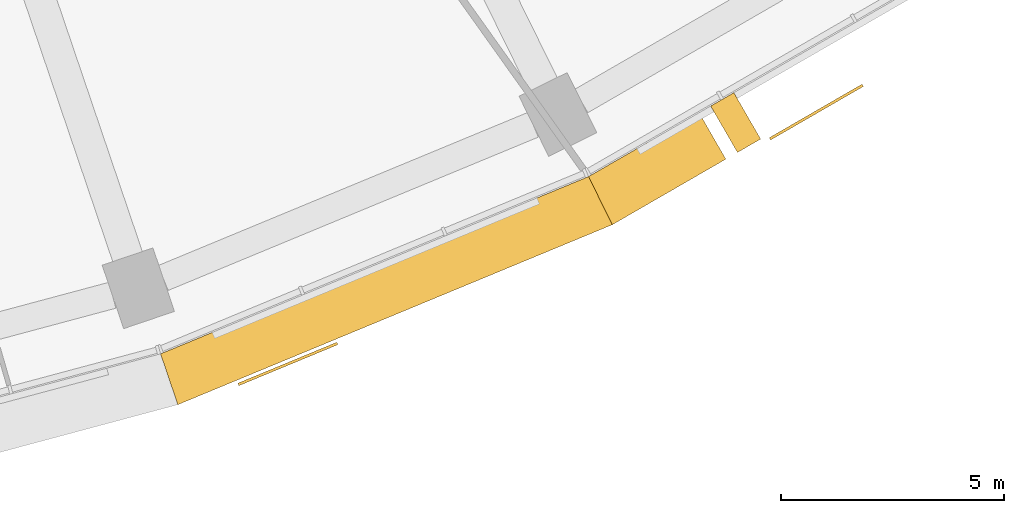
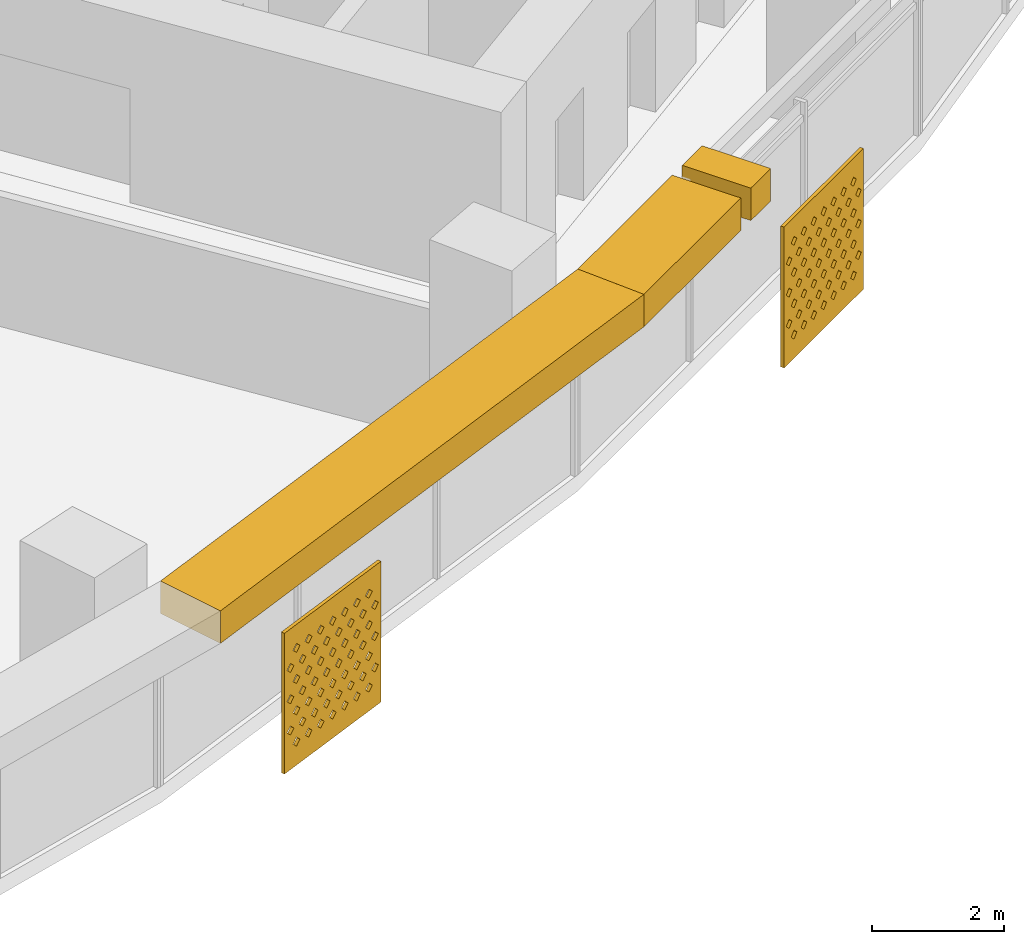
# One storey, part 27 of 29: 5 shading devices.
"""IFC4 building model written with IfcOpenShell, lengths in metres."""

from ifc_helpers import new_model, si_unit, direction, frame, origin, place, context, subcontext, project, spatial, polyline, outline, extrude, material, material_profile, profile_set, type_object, element, save


model = new_model("IFC4")

# Units and contexts
model_context = context("Model", 3, precision=1e-05, world=origin(), true_north=direction((0.0, 1.0)))
body_context = subcontext(model_context, "Body", "Model", "MODEL_VIEW")
ifc_project = project(units=[si_unit("LENGTHUNIT", "METRE"), si_unit("AREAUNIT", "SQUARE_METRE"), si_unit("VOLUMEUNIT", "CUBIC_METRE"), si_unit("PLANEANGLEUNIT", "RADIAN"), si_unit("MASSUNIT", "GRAM", prefix="KILO")], contexts=[model_context])

# Site, building, storey
site_placement = place(None, origin())
site = spatial("IfcSite", under=ifc_project, at=site_placement, CompositionType="ELEMENT")
building_placement = place(site_placement, origin())
building = spatial("IfcBuilding", under=site, at=building_placement, Name="Qamariyya Broadcast Tower", CompositionType="ELEMENT")
storey_placement = place(building_placement, frame((0.0, 0.0, 121.5)))
storey = spatial("IfcBuildingStorey", under=building, at=storey_placement, Name="L27", CompositionType="ELEMENT", Elevation=121.5)

# Shading devices
ifc_material_1 = material(Name="Steel S355 powder coated deep red", Category="steel")
shading_device_type_1 = type_object("IfcShadingDeviceType", Name="Deep red frame, powder coated steel box section", PredefinedType="USERDEFINED", material=ifc_material_1)
shading_device_1_placement = place(storey_placement, frame((0.0, 0.0, 3.199951171875)))
element("IfcShadingDevice", 1, at=shading_device_1_placement, inside=storey, type_object=shading_device_type_1, Name="e-frm-B2-F2-postb-L27", ObjectType="FRAME", PredefinedType="USERDEFINED", context=body_context, shape_type="SweptSolid", body=[
    extrude(outline(polyline([(37.80810546875, -69.543212890625), (38.408203125, -70.58251953125), (38.927734375, -70.282470703125), (38.32763671875, -69.2431640625), (37.80810546875, -69.543212890625)])), origin(), (0.0, 0.0, 1.0), 0.60009765625),
])
shading_device_2_placement = place(storey_placement, frame((0.0, 0.0, 3.199951171875)))
element("IfcShadingDevice", 2, at=shading_device_2_placement, inside=storey, type_object=shading_device_type_1, Name="e-frm-B2-F2-bot1", ObjectType="FRAME", PredefinedType="USERDEFINED", context=body_context, shape_type="SweptSolid", body=[
    extrude(outline(polyline([(25.490234375, -75.091552734375), (25.876708984375, -76.230224609375), (35.60546875, -72.20068359375), (35.073486328125, -71.1220703125), (25.490234375, -75.091552734375)])), origin(), (0.0, 0.0, 1.0), 0.60009765625),
])
shading_device_3_placement = place(storey_placement, frame((0.0, 0.0, 3.199951171875)))
element("IfcShadingDevice", 3, at=shading_device_3_placement, inside=storey, type_object=shading_device_type_1, Name="e-frm-B2-F2-bot2", ObjectType="FRAME", PredefinedType="USERDEFINED", context=body_context, shape_type="SweptSolid", body=[
    extrude(outline(polyline([(35.073486328125, -71.1220703125), (35.60546875, -72.20068359375), (38.148193359375, -70.732421875), (37.54833984375, -69.693115234375), (35.073486328125, -71.1220703125)])), origin(), (0.0, 0.0, 1.0), 0.60009765625),
])
ifc_material_2 = material(Name="Perforated glazed terracotta", Category="masonry")
ifc_material_profile = material_profile(ifc_material_2, outline(polyline([(-1.199951171875, -1.300048828125), (1.199951171875, -1.300048828125), (1.199951171875, 1.300048828125), (-1.199951171875, 1.300048828125), (-1.199951171875, -1.300048828125)]), holes=[polyline([(-0.81494140625, -0.86669921875), (-0.89990234375, -0.78173828125), (-0.985107421875, -0.86669921875), (-0.89990234375, -0.95166015625), (-0.81494140625, -0.86669921875)]), polyline([(-0.514892578125, -0.86669921875), (-0.60009765625, -0.78173828125), (-0.68505859375, -0.86669921875), (-0.60009765625, -0.95166015625), (-0.514892578125, -0.86669921875)]), polyline([(-0.215087890625, -0.86669921875), (-0.300048828125, -0.78173828125), (-0.385009765625, -0.86669921875), (-0.300048828125, -0.95166015625), (-0.215087890625, -0.86669921875)]), polyline([(0.0849609375, -0.86669921875), (0.0, -0.78173828125), (-0.0849609375, -0.86669921875), (0.0, -0.95166015625), (0.0849609375, -0.86669921875)]), polyline([(0.385009765625, -0.86669921875), (0.300048828125, -0.78173828125), (0.215087890625, -0.86669921875), (0.300048828125, -0.95166015625), (0.385009765625, -0.86669921875)]), polyline([(0.68505859375, -0.86669921875), (0.60009765625, -0.78173828125), (0.514892578125, -0.86669921875), (0.60009765625, -0.95166015625), (0.68505859375, -0.86669921875)]), polyline([(0.985107421875, -0.86669921875), (0.89990234375, -0.78173828125), (0.81494140625, -0.86669921875), (0.89990234375, -0.95166015625), (0.985107421875, -0.86669921875)]), polyline([(-0.965087890625, -0.577880859375), (-1.050048828125, -0.49267578125), (-1.135009765625, -0.577880859375), (-1.050048828125, -0.662841796875), (-0.965087890625, -0.577880859375)]), polyline([(-0.6650390625, -0.577880859375), (-0.75, -0.49267578125), (-0.8349609375, -0.577880859375), (-0.75, -0.662841796875), (-0.6650390625, -0.577880859375)]), polyline([(-0.364990234375, -0.577880859375), (-0.449951171875, -0.49267578125), (-0.534912109375, -0.577880859375), (-0.449951171875, -0.662841796875), (-0.364990234375, -0.577880859375)]), polyline([(-0.06494140625, -0.577880859375), (-0.14990234375, -0.49267578125), (-0.235107421875, -0.577880859375), (-0.14990234375, -0.662841796875), (-0.06494140625, -0.577880859375)]), polyline([(0.235107421875, -0.577880859375), (0.14990234375, -0.49267578125), (0.06494140625, -0.577880859375), (0.14990234375, -0.662841796875), (0.235107421875, -0.577880859375)]), polyline([(0.534912109375, -0.577880859375), (0.449951171875, -0.49267578125), (0.364990234375, -0.577880859375), (0.449951171875, -0.662841796875), (0.534912109375, -0.577880859375)]), polyline([(0.8349609375, -0.577880859375), (0.75, -0.49267578125), (0.6650390625, -0.577880859375), (0.75, -0.662841796875), (0.8349609375, -0.577880859375)]), polyline([(1.135009765625, -0.577880859375), (1.050048828125, -0.49267578125), (0.965087890625, -0.577880859375), (1.050048828125, -0.662841796875), (1.135009765625, -0.577880859375)]), polyline([(-0.81494140625, -0.288818359375), (-0.89990234375, -0.203857421875), (-0.985107421875, -0.288818359375), (-0.89990234375, -0.373779296875), (-0.81494140625, -0.288818359375)]), polyline([(-0.514892578125, -0.288818359375), (-0.60009765625, -0.203857421875), (-0.68505859375, -0.288818359375), (-0.60009765625, -0.373779296875), (-0.514892578125, -0.288818359375)]), polyline([(-0.215087890625, -0.288818359375), (-0.300048828125, -0.203857421875), (-0.385009765625, -0.288818359375), (-0.300048828125, -0.373779296875), (-0.215087890625, -0.288818359375)]), polyline([(0.0849609375, -0.288818359375), (0.0, -0.203857421875), (-0.0849609375, -0.288818359375), (0.0, -0.373779296875), (0.0849609375, -0.288818359375)]), polyline([(0.385009765625, -0.288818359375), (0.300048828125, -0.203857421875), (0.215087890625, -0.288818359375), (0.300048828125, -0.373779296875), (0.385009765625, -0.288818359375)]), polyline([(0.68505859375, -0.288818359375), (0.60009765625, -0.203857421875), (0.514892578125, -0.288818359375), (0.60009765625, -0.373779296875), (0.68505859375, -0.288818359375)]), polyline([(0.985107421875, -0.288818359375), (0.89990234375, -0.203857421875), (0.81494140625, -0.288818359375), (0.89990234375, -0.373779296875), (0.985107421875, -0.288818359375)]), polyline([(-0.965087890625, 0.0), (-1.050048828125, 0.0849609375), (-1.135009765625, 0.0), (-1.050048828125, -0.0849609375), (-0.965087890625, 0.0)]), polyline([(-0.6650390625, 0.0), (-0.75, 0.0849609375), (-0.8349609375, 0.0), (-0.75, -0.0849609375), (-0.6650390625, 0.0)]), polyline([(-0.364990234375, 0.0), (-0.449951171875, 0.0849609375), (-0.534912109375, 0.0), (-0.449951171875, -0.0849609375), (-0.364990234375, 0.0)]), polyline([(-0.06494140625, 0.0), (-0.14990234375, 0.0849609375), (-0.235107421875, 0.0), (-0.14990234375, -0.0849609375), (-0.06494140625, 0.0)]), polyline([(0.235107421875, 0.0), (0.14990234375, 0.0849609375), (0.06494140625, 0.0), (0.14990234375, -0.0849609375), (0.235107421875, 0.0)]), polyline([(0.534912109375, 0.0), (0.449951171875, 0.0849609375), (0.364990234375, 0.0), (0.449951171875, -0.0849609375), (0.534912109375, 0.0)]), polyline([(0.8349609375, 0.0), (0.75, 0.0849609375), (0.6650390625, 0.0), (0.75, -0.0849609375), (0.8349609375, 0.0)]), polyline([(1.135009765625, 0.0), (1.050048828125, 0.0849609375), (0.965087890625, 0.0), (1.050048828125, -0.0849609375), (1.135009765625, 0.0)]), polyline([(-0.81494140625, 0.288818359375), (-0.89990234375, 0.373779296875), (-0.985107421875, 0.288818359375), (-0.89990234375, 0.203857421875), (-0.81494140625, 0.288818359375)]), polyline([(-0.514892578125, 0.288818359375), (-0.60009765625, 0.373779296875), (-0.68505859375, 0.288818359375), (-0.60009765625, 0.203857421875), (-0.514892578125, 0.288818359375)]), polyline([(-0.215087890625, 0.288818359375), (-0.300048828125, 0.373779296875), (-0.385009765625, 0.288818359375), (-0.300048828125, 0.203857421875), (-0.215087890625, 0.288818359375)]), polyline([(0.0849609375, 0.288818359375), (0.0, 0.373779296875), (-0.0849609375, 0.288818359375), (0.0, 0.203857421875), (0.0849609375, 0.288818359375)]), polyline([(0.385009765625, 0.288818359375), (0.300048828125, 0.373779296875), (0.215087890625, 0.288818359375), (0.300048828125, 0.203857421875), (0.385009765625, 0.288818359375)]), polyline([(0.68505859375, 0.288818359375), (0.60009765625, 0.373779296875), (0.514892578125, 0.288818359375), (0.60009765625, 0.203857421875), (0.68505859375, 0.288818359375)]), polyline([(0.985107421875, 0.288818359375), (0.89990234375, 0.373779296875), (0.81494140625, 0.288818359375), (0.89990234375, 0.203857421875), (0.985107421875, 0.288818359375)]), polyline([(-0.965087890625, 0.577880859375), (-1.050048828125, 0.662841796875), (-1.135009765625, 0.577880859375), (-1.050048828125, 0.49267578125), (-0.965087890625, 0.577880859375)]), polyline([(-0.6650390625, 0.577880859375), (-0.75, 0.662841796875), (-0.8349609375, 0.577880859375), (-0.75, 0.49267578125), (-0.6650390625, 0.577880859375)]), polyline([(-0.364990234375, 0.577880859375), (-0.449951171875, 0.662841796875), (-0.534912109375, 0.577880859375), (-0.449951171875, 0.49267578125), (-0.364990234375, 0.577880859375)]), polyline([(-0.06494140625, 0.577880859375), (-0.14990234375, 0.662841796875), (-0.235107421875, 0.577880859375), (-0.14990234375, 0.49267578125), (-0.06494140625, 0.577880859375)]), polyline([(0.235107421875, 0.577880859375), (0.14990234375, 0.662841796875), (0.06494140625, 0.577880859375), (0.14990234375, 0.49267578125), (0.235107421875, 0.577880859375)]), polyline([(0.534912109375, 0.577880859375), (0.449951171875, 0.662841796875), (0.364990234375, 0.577880859375), (0.449951171875, 0.49267578125), (0.534912109375, 0.577880859375)]), polyline([(0.8349609375, 0.577880859375), (0.75, 0.662841796875), (0.6650390625, 0.577880859375), (0.75, 0.49267578125), (0.8349609375, 0.577880859375)]), polyline([(1.135009765625, 0.577880859375), (1.050048828125, 0.662841796875), (0.965087890625, 0.577880859375), (1.050048828125, 0.49267578125), (1.135009765625, 0.577880859375)]), polyline([(-0.81494140625, 0.86669921875), (-0.89990234375, 0.95166015625), (-0.985107421875, 0.86669921875), (-0.89990234375, 0.78173828125), (-0.81494140625, 0.86669921875)]), polyline([(-0.514892578125, 0.86669921875), (-0.60009765625, 0.95166015625), (-0.68505859375, 0.86669921875), (-0.60009765625, 0.78173828125), (-0.514892578125, 0.86669921875)]), polyline([(-0.215087890625, 0.86669921875), (-0.300048828125, 0.95166015625), (-0.385009765625, 0.86669921875), (-0.300048828125, 0.78173828125), (-0.215087890625, 0.86669921875)]), polyline([(0.0849609375, 0.86669921875), (0.0, 0.95166015625), (-0.0849609375, 0.86669921875), (0.0, 0.78173828125), (0.0849609375, 0.86669921875)]), polyline([(0.385009765625, 0.86669921875), (0.300048828125, 0.95166015625), (0.215087890625, 0.86669921875), (0.300048828125, 0.78173828125), (0.385009765625, 0.86669921875)]), polyline([(0.68505859375, 0.86669921875), (0.60009765625, 0.95166015625), (0.514892578125, 0.86669921875), (0.60009765625, 0.78173828125), (0.68505859375, 0.86669921875)]), polyline([(0.985107421875, 0.86669921875), (0.89990234375, 0.95166015625), (0.81494140625, 0.86669921875), (0.89990234375, 0.78173828125), (0.985107421875, 0.86669921875)])]))
ifc_profile_set = profile_set([ifc_material_profile], Name="Perforated glazed terracotta")
shading_device_type_2 = type_object("IfcShadingDeviceType", Name="Perforated terracotta screen 2400 x 2600", PredefinedType="USERDEFINED", material=ifc_profile_set)
shading_device_4_placement = place(storey_placement, frame((28.328857421875, -75.290283203125, 1.35009765625), z_axis=(0.382591441855, -0.923917630863, 0.0), x_axis=(0.923917630863, 0.382591441855, 0.0)))
element("IfcShadingDevice", 4, at=shading_device_4_placement, inside=storey, type_object=shading_device_type_2, Name="e-scr-L27-12-0", ObjectType="SCREEN", PredefinedType="USERDEFINED", context=body_context, shape_type="SweptSolid", body=[
    extrude(outline(polyline([(-1.199951171875, -1.300048828125), (1.199951171875, -1.300048828125), (1.199951171875, 1.300048828125), (-1.199951171875, 1.300048828125), (-1.199951171875, -1.300048828125)]), holes=[polyline([(-0.81494140625, -0.86669921875), (-0.89990234375, -0.78173828125), (-0.985107421875, -0.86669921875), (-0.89990234375, -0.95166015625), (-0.81494140625, -0.86669921875)]), polyline([(-0.514892578125, -0.86669921875), (-0.60009765625, -0.78173828125), (-0.68505859375, -0.86669921875), (-0.60009765625, -0.95166015625), (-0.514892578125, -0.86669921875)]), polyline([(-0.215087890625, -0.86669921875), (-0.300048828125, -0.78173828125), (-0.385009765625, -0.86669921875), (-0.300048828125, -0.95166015625), (-0.215087890625, -0.86669921875)]), polyline([(0.0849609375, -0.86669921875), (0.0, -0.78173828125), (-0.0849609375, -0.86669921875), (0.0, -0.95166015625), (0.0849609375, -0.86669921875)]), polyline([(0.385009765625, -0.86669921875), (0.300048828125, -0.78173828125), (0.215087890625, -0.86669921875), (0.300048828125, -0.95166015625), (0.385009765625, -0.86669921875)]), polyline([(0.68505859375, -0.86669921875), (0.60009765625, -0.78173828125), (0.514892578125, -0.86669921875), (0.60009765625, -0.95166015625), (0.68505859375, -0.86669921875)]), polyline([(0.985107421875, -0.86669921875), (0.89990234375, -0.78173828125), (0.81494140625, -0.86669921875), (0.89990234375, -0.95166015625), (0.985107421875, -0.86669921875)]), polyline([(-0.965087890625, -0.577880859375), (-1.050048828125, -0.49267578125), (-1.135009765625, -0.577880859375), (-1.050048828125, -0.662841796875), (-0.965087890625, -0.577880859375)]), polyline([(-0.6650390625, -0.577880859375), (-0.75, -0.49267578125), (-0.8349609375, -0.577880859375), (-0.75, -0.662841796875), (-0.6650390625, -0.577880859375)]), polyline([(-0.364990234375, -0.577880859375), (-0.449951171875, -0.49267578125), (-0.534912109375, -0.577880859375), (-0.449951171875, -0.662841796875), (-0.364990234375, -0.577880859375)]), polyline([(-0.06494140625, -0.577880859375), (-0.14990234375, -0.49267578125), (-0.235107421875, -0.577880859375), (-0.14990234375, -0.662841796875), (-0.06494140625, -0.577880859375)]), polyline([(0.235107421875, -0.577880859375), (0.14990234375, -0.49267578125), (0.06494140625, -0.577880859375), (0.14990234375, -0.662841796875), (0.235107421875, -0.577880859375)]), polyline([(0.534912109375, -0.577880859375), (0.449951171875, -0.49267578125), (0.364990234375, -0.577880859375), (0.449951171875, -0.662841796875), (0.534912109375, -0.577880859375)]), polyline([(0.8349609375, -0.577880859375), (0.75, -0.49267578125), (0.6650390625, -0.577880859375), (0.75, -0.662841796875), (0.8349609375, -0.577880859375)]), polyline([(1.135009765625, -0.577880859375), (1.050048828125, -0.49267578125), (0.965087890625, -0.577880859375), (1.050048828125, -0.662841796875), (1.135009765625, -0.577880859375)]), polyline([(-0.81494140625, -0.288818359375), (-0.89990234375, -0.203857421875), (-0.985107421875, -0.288818359375), (-0.89990234375, -0.373779296875), (-0.81494140625, -0.288818359375)]), polyline([(-0.514892578125, -0.288818359375), (-0.60009765625, -0.203857421875), (-0.68505859375, -0.288818359375), (-0.60009765625, -0.373779296875), (-0.514892578125, -0.288818359375)]), polyline([(-0.215087890625, -0.288818359375), (-0.300048828125, -0.203857421875), (-0.385009765625, -0.288818359375), (-0.300048828125, -0.373779296875), (-0.215087890625, -0.288818359375)]), polyline([(0.0849609375, -0.288818359375), (0.0, -0.203857421875), (-0.0849609375, -0.288818359375), (0.0, -0.373779296875), (0.0849609375, -0.288818359375)]), polyline([(0.385009765625, -0.288818359375), (0.300048828125, -0.203857421875), (0.215087890625, -0.288818359375), (0.300048828125, -0.373779296875), (0.385009765625, -0.288818359375)]), polyline([(0.68505859375, -0.288818359375), (0.60009765625, -0.203857421875), (0.514892578125, -0.288818359375), (0.60009765625, -0.373779296875), (0.68505859375, -0.288818359375)]), polyline([(0.985107421875, -0.288818359375), (0.89990234375, -0.203857421875), (0.81494140625, -0.288818359375), (0.89990234375, -0.373779296875), (0.985107421875, -0.288818359375)]), polyline([(-0.965087890625, 0.0), (-1.050048828125, 0.0849609375), (-1.135009765625, 0.0), (-1.050048828125, -0.0849609375), (-0.965087890625, 0.0)]), polyline([(-0.6650390625, 0.0), (-0.75, 0.0849609375), (-0.8349609375, 0.0), (-0.75, -0.0849609375), (-0.6650390625, 0.0)]), polyline([(-0.364990234375, 0.0), (-0.449951171875, 0.0849609375), (-0.534912109375, 0.0), (-0.449951171875, -0.0849609375), (-0.364990234375, 0.0)]), polyline([(-0.06494140625, 0.0), (-0.14990234375, 0.0849609375), (-0.235107421875, 0.0), (-0.14990234375, -0.0849609375), (-0.06494140625, 0.0)]), polyline([(0.235107421875, 0.0), (0.14990234375, 0.0849609375), (0.06494140625, 0.0), (0.14990234375, -0.0849609375), (0.235107421875, 0.0)]), polyline([(0.534912109375, 0.0), (0.449951171875, 0.0849609375), (0.364990234375, 0.0), (0.449951171875, -0.0849609375), (0.534912109375, 0.0)]), polyline([(0.8349609375, 0.0), (0.75, 0.0849609375), (0.6650390625, 0.0), (0.75, -0.0849609375), (0.8349609375, 0.0)]), polyline([(1.135009765625, 0.0), (1.050048828125, 0.0849609375), (0.965087890625, 0.0), (1.050048828125, -0.0849609375), (1.135009765625, 0.0)]), polyline([(-0.81494140625, 0.288818359375), (-0.89990234375, 0.373779296875), (-0.985107421875, 0.288818359375), (-0.89990234375, 0.203857421875), (-0.81494140625, 0.288818359375)]), polyline([(-0.514892578125, 0.288818359375), (-0.60009765625, 0.373779296875), (-0.68505859375, 0.288818359375), (-0.60009765625, 0.203857421875), (-0.514892578125, 0.288818359375)]), polyline([(-0.215087890625, 0.288818359375), (-0.300048828125, 0.373779296875), (-0.385009765625, 0.288818359375), (-0.300048828125, 0.203857421875), (-0.215087890625, 0.288818359375)]), polyline([(0.0849609375, 0.288818359375), (0.0, 0.373779296875), (-0.0849609375, 0.288818359375), (0.0, 0.203857421875), (0.0849609375, 0.288818359375)]), polyline([(0.385009765625, 0.288818359375), (0.300048828125, 0.373779296875), (0.215087890625, 0.288818359375), (0.300048828125, 0.203857421875), (0.385009765625, 0.288818359375)]), polyline([(0.68505859375, 0.288818359375), (0.60009765625, 0.373779296875), (0.514892578125, 0.288818359375), (0.60009765625, 0.203857421875), (0.68505859375, 0.288818359375)]), polyline([(0.985107421875, 0.288818359375), (0.89990234375, 0.373779296875), (0.81494140625, 0.288818359375), (0.89990234375, 0.203857421875), (0.985107421875, 0.288818359375)]), polyline([(-0.965087890625, 0.577880859375), (-1.050048828125, 0.662841796875), (-1.135009765625, 0.577880859375), (-1.050048828125, 0.49267578125), (-0.965087890625, 0.577880859375)]), polyline([(-0.6650390625, 0.577880859375), (-0.75, 0.662841796875), (-0.8349609375, 0.577880859375), (-0.75, 0.49267578125), (-0.6650390625, 0.577880859375)]), polyline([(-0.364990234375, 0.577880859375), (-0.449951171875, 0.662841796875), (-0.534912109375, 0.577880859375), (-0.449951171875, 0.49267578125), (-0.364990234375, 0.577880859375)]), polyline([(-0.06494140625, 0.577880859375), (-0.14990234375, 0.662841796875), (-0.235107421875, 0.577880859375), (-0.14990234375, 0.49267578125), (-0.06494140625, 0.577880859375)]), polyline([(0.235107421875, 0.577880859375), (0.14990234375, 0.662841796875), (0.06494140625, 0.577880859375), (0.14990234375, 0.49267578125), (0.235107421875, 0.577880859375)]), polyline([(0.534912109375, 0.577880859375), (0.449951171875, 0.662841796875), (0.364990234375, 0.577880859375), (0.449951171875, 0.49267578125), (0.534912109375, 0.577880859375)]), polyline([(0.8349609375, 0.577880859375), (0.75, 0.662841796875), (0.6650390625, 0.577880859375), (0.75, 0.49267578125), (0.8349609375, 0.577880859375)]), polyline([(1.135009765625, 0.577880859375), (1.050048828125, 0.662841796875), (0.965087890625, 0.577880859375), (1.050048828125, 0.49267578125), (1.135009765625, 0.577880859375)]), polyline([(-0.81494140625, 0.86669921875), (-0.89990234375, 0.95166015625), (-0.985107421875, 0.86669921875), (-0.89990234375, 0.78173828125), (-0.81494140625, 0.86669921875)]), polyline([(-0.514892578125, 0.86669921875), (-0.60009765625, 0.95166015625), (-0.68505859375, 0.86669921875), (-0.60009765625, 0.78173828125), (-0.514892578125, 0.86669921875)]), polyline([(-0.215087890625, 0.86669921875), (-0.300048828125, 0.95166015625), (-0.385009765625, 0.86669921875), (-0.300048828125, 0.78173828125), (-0.215087890625, 0.86669921875)]), polyline([(0.0849609375, 0.86669921875), (0.0, 0.95166015625), (-0.0849609375, 0.86669921875), (0.0, 0.78173828125), (0.0849609375, 0.86669921875)]), polyline([(0.385009765625, 0.86669921875), (0.300048828125, 0.95166015625), (0.215087890625, 0.86669921875), (0.300048828125, 0.78173828125), (0.385009765625, 0.86669921875)]), polyline([(0.68505859375, 0.86669921875), (0.60009765625, 0.95166015625), (0.514892578125, 0.86669921875), (0.60009765625, 0.78173828125), (0.68505859375, 0.86669921875)]), polyline([(0.985107421875, 0.86669921875), (0.89990234375, 0.95166015625), (0.81494140625, 0.86669921875), (0.89990234375, 0.78173828125), (0.985107421875, 0.86669921875)])]), origin(), (0.0, 0.0, 1.0), 0.06005859375),
])
shading_device_5_placement = place(storey_placement, frame((40.15966796875, -69.65185546875, 1.35009765625), z_axis=(0.500074377092, -0.865982457891, 0.0), x_axis=(0.865982457891, 0.500074377092, 0.0)))
element("IfcShadingDevice", 5, at=shading_device_5_placement, inside=storey, type_object=shading_device_type_2, Name="e-scr-L27-13-1", ObjectType="SCREEN", PredefinedType="USERDEFINED", context=body_context, shape_type="SweptSolid", body=[
    extrude(outline(polyline([(-1.199951171875, -1.300048828125), (1.199951171875, -1.300048828125), (1.199951171875, 1.300048828125), (-1.199951171875, 1.300048828125), (-1.199951171875, -1.300048828125)]), holes=[polyline([(-0.81494140625, -0.86669921875), (-0.89990234375, -0.78173828125), (-0.985107421875, -0.86669921875), (-0.89990234375, -0.95166015625), (-0.81494140625, -0.86669921875)]), polyline([(-0.514892578125, -0.86669921875), (-0.60009765625, -0.78173828125), (-0.68505859375, -0.86669921875), (-0.60009765625, -0.95166015625), (-0.514892578125, -0.86669921875)]), polyline([(-0.215087890625, -0.86669921875), (-0.300048828125, -0.78173828125), (-0.385009765625, -0.86669921875), (-0.300048828125, -0.95166015625), (-0.215087890625, -0.86669921875)]), polyline([(0.0849609375, -0.86669921875), (0.0, -0.78173828125), (-0.0849609375, -0.86669921875), (0.0, -0.95166015625), (0.0849609375, -0.86669921875)]), polyline([(0.385009765625, -0.86669921875), (0.300048828125, -0.78173828125), (0.215087890625, -0.86669921875), (0.300048828125, -0.95166015625), (0.385009765625, -0.86669921875)]), polyline([(0.68505859375, -0.86669921875), (0.60009765625, -0.78173828125), (0.514892578125, -0.86669921875), (0.60009765625, -0.95166015625), (0.68505859375, -0.86669921875)]), polyline([(0.985107421875, -0.86669921875), (0.89990234375, -0.78173828125), (0.81494140625, -0.86669921875), (0.89990234375, -0.95166015625), (0.985107421875, -0.86669921875)]), polyline([(-0.965087890625, -0.577880859375), (-1.050048828125, -0.49267578125), (-1.135009765625, -0.577880859375), (-1.050048828125, -0.662841796875), (-0.965087890625, -0.577880859375)]), polyline([(-0.6650390625, -0.577880859375), (-0.75, -0.49267578125), (-0.8349609375, -0.577880859375), (-0.75, -0.662841796875), (-0.6650390625, -0.577880859375)]), polyline([(-0.364990234375, -0.577880859375), (-0.449951171875, -0.49267578125), (-0.534912109375, -0.577880859375), (-0.449951171875, -0.662841796875), (-0.364990234375, -0.577880859375)]), polyline([(-0.06494140625, -0.577880859375), (-0.14990234375, -0.49267578125), (-0.235107421875, -0.577880859375), (-0.14990234375, -0.662841796875), (-0.06494140625, -0.577880859375)]), polyline([(0.235107421875, -0.577880859375), (0.14990234375, -0.49267578125), (0.06494140625, -0.577880859375), (0.14990234375, -0.662841796875), (0.235107421875, -0.577880859375)]), polyline([(0.534912109375, -0.577880859375), (0.449951171875, -0.49267578125), (0.364990234375, -0.577880859375), (0.449951171875, -0.662841796875), (0.534912109375, -0.577880859375)]), polyline([(0.8349609375, -0.577880859375), (0.75, -0.49267578125), (0.6650390625, -0.577880859375), (0.75, -0.662841796875), (0.8349609375, -0.577880859375)]), polyline([(1.135009765625, -0.577880859375), (1.050048828125, -0.49267578125), (0.965087890625, -0.577880859375), (1.050048828125, -0.662841796875), (1.135009765625, -0.577880859375)]), polyline([(-0.81494140625, -0.288818359375), (-0.89990234375, -0.203857421875), (-0.985107421875, -0.288818359375), (-0.89990234375, -0.373779296875), (-0.81494140625, -0.288818359375)]), polyline([(-0.514892578125, -0.288818359375), (-0.60009765625, -0.203857421875), (-0.68505859375, -0.288818359375), (-0.60009765625, -0.373779296875), (-0.514892578125, -0.288818359375)]), polyline([(-0.215087890625, -0.288818359375), (-0.300048828125, -0.203857421875), (-0.385009765625, -0.288818359375), (-0.300048828125, -0.373779296875), (-0.215087890625, -0.288818359375)]), polyline([(0.0849609375, -0.288818359375), (0.0, -0.203857421875), (-0.0849609375, -0.288818359375), (0.0, -0.373779296875), (0.0849609375, -0.288818359375)]), polyline([(0.385009765625, -0.288818359375), (0.300048828125, -0.203857421875), (0.215087890625, -0.288818359375), (0.300048828125, -0.373779296875), (0.385009765625, -0.288818359375)]), polyline([(0.68505859375, -0.288818359375), (0.60009765625, -0.203857421875), (0.514892578125, -0.288818359375), (0.60009765625, -0.373779296875), (0.68505859375, -0.288818359375)]), polyline([(0.985107421875, -0.288818359375), (0.89990234375, -0.203857421875), (0.81494140625, -0.288818359375), (0.89990234375, -0.373779296875), (0.985107421875, -0.288818359375)]), polyline([(-0.965087890625, 0.0), (-1.050048828125, 0.0849609375), (-1.135009765625, 0.0), (-1.050048828125, -0.0849609375), (-0.965087890625, 0.0)]), polyline([(-0.6650390625, 0.0), (-0.75, 0.0849609375), (-0.8349609375, 0.0), (-0.75, -0.0849609375), (-0.6650390625, 0.0)]), polyline([(-0.364990234375, 0.0), (-0.449951171875, 0.0849609375), (-0.534912109375, 0.0), (-0.449951171875, -0.0849609375), (-0.364990234375, 0.0)]), polyline([(-0.06494140625, 0.0), (-0.14990234375, 0.0849609375), (-0.235107421875, 0.0), (-0.14990234375, -0.0849609375), (-0.06494140625, 0.0)]), polyline([(0.235107421875, 0.0), (0.14990234375, 0.0849609375), (0.06494140625, 0.0), (0.14990234375, -0.0849609375), (0.235107421875, 0.0)]), polyline([(0.534912109375, 0.0), (0.449951171875, 0.0849609375), (0.364990234375, 0.0), (0.449951171875, -0.0849609375), (0.534912109375, 0.0)]), polyline([(0.8349609375, 0.0), (0.75, 0.0849609375), (0.6650390625, 0.0), (0.75, -0.0849609375), (0.8349609375, 0.0)]), polyline([(1.135009765625, 0.0), (1.050048828125, 0.0849609375), (0.965087890625, 0.0), (1.050048828125, -0.0849609375), (1.135009765625, 0.0)]), polyline([(-0.81494140625, 0.288818359375), (-0.89990234375, 0.373779296875), (-0.985107421875, 0.288818359375), (-0.89990234375, 0.203857421875), (-0.81494140625, 0.288818359375)]), polyline([(-0.514892578125, 0.288818359375), (-0.60009765625, 0.373779296875), (-0.68505859375, 0.288818359375), (-0.60009765625, 0.203857421875), (-0.514892578125, 0.288818359375)]), polyline([(-0.215087890625, 0.288818359375), (-0.300048828125, 0.373779296875), (-0.385009765625, 0.288818359375), (-0.300048828125, 0.203857421875), (-0.215087890625, 0.288818359375)]), polyline([(0.0849609375, 0.288818359375), (0.0, 0.373779296875), (-0.0849609375, 0.288818359375), (0.0, 0.203857421875), (0.0849609375, 0.288818359375)]), polyline([(0.385009765625, 0.288818359375), (0.300048828125, 0.373779296875), (0.215087890625, 0.288818359375), (0.300048828125, 0.203857421875), (0.385009765625, 0.288818359375)]), polyline([(0.68505859375, 0.288818359375), (0.60009765625, 0.373779296875), (0.514892578125, 0.288818359375), (0.60009765625, 0.203857421875), (0.68505859375, 0.288818359375)]), polyline([(0.985107421875, 0.288818359375), (0.89990234375, 0.373779296875), (0.81494140625, 0.288818359375), (0.89990234375, 0.203857421875), (0.985107421875, 0.288818359375)]), polyline([(-0.965087890625, 0.577880859375), (-1.050048828125, 0.662841796875), (-1.135009765625, 0.577880859375), (-1.050048828125, 0.49267578125), (-0.965087890625, 0.577880859375)]), polyline([(-0.6650390625, 0.577880859375), (-0.75, 0.662841796875), (-0.8349609375, 0.577880859375), (-0.75, 0.49267578125), (-0.6650390625, 0.577880859375)]), polyline([(-0.364990234375, 0.577880859375), (-0.449951171875, 0.662841796875), (-0.534912109375, 0.577880859375), (-0.449951171875, 0.49267578125), (-0.364990234375, 0.577880859375)]), polyline([(-0.06494140625, 0.577880859375), (-0.14990234375, 0.662841796875), (-0.235107421875, 0.577880859375), (-0.14990234375, 0.49267578125), (-0.06494140625, 0.577880859375)]), polyline([(0.235107421875, 0.577880859375), (0.14990234375, 0.662841796875), (0.06494140625, 0.577880859375), (0.14990234375, 0.49267578125), (0.235107421875, 0.577880859375)]), polyline([(0.534912109375, 0.577880859375), (0.449951171875, 0.662841796875), (0.364990234375, 0.577880859375), (0.449951171875, 0.49267578125), (0.534912109375, 0.577880859375)]), polyline([(0.8349609375, 0.577880859375), (0.75, 0.662841796875), (0.6650390625, 0.577880859375), (0.75, 0.49267578125), (0.8349609375, 0.577880859375)]), polyline([(1.135009765625, 0.577880859375), (1.050048828125, 0.662841796875), (0.965087890625, 0.577880859375), (1.050048828125, 0.49267578125), (1.135009765625, 0.577880859375)]), polyline([(-0.81494140625, 0.86669921875), (-0.89990234375, 0.95166015625), (-0.985107421875, 0.86669921875), (-0.89990234375, 0.78173828125), (-0.81494140625, 0.86669921875)]), polyline([(-0.514892578125, 0.86669921875), (-0.60009765625, 0.95166015625), (-0.68505859375, 0.86669921875), (-0.60009765625, 0.78173828125), (-0.514892578125, 0.86669921875)]), polyline([(-0.215087890625, 0.86669921875), (-0.300048828125, 0.95166015625), (-0.385009765625, 0.86669921875), (-0.300048828125, 0.78173828125), (-0.215087890625, 0.86669921875)]), polyline([(0.0849609375, 0.86669921875), (0.0, 0.95166015625), (-0.0849609375, 0.86669921875), (0.0, 0.78173828125), (0.0849609375, 0.86669921875)]), polyline([(0.385009765625, 0.86669921875), (0.300048828125, 0.95166015625), (0.215087890625, 0.86669921875), (0.300048828125, 0.78173828125), (0.385009765625, 0.86669921875)]), polyline([(0.68505859375, 0.86669921875), (0.60009765625, 0.95166015625), (0.514892578125, 0.86669921875), (0.60009765625, 0.78173828125), (0.68505859375, 0.86669921875)]), polyline([(0.985107421875, 0.86669921875), (0.89990234375, 0.95166015625), (0.81494140625, 0.86669921875), (0.89990234375, 0.78173828125), (0.985107421875, 0.86669921875)])]), origin(), (0.0, 0.0, 1.0), 0.06005859375),
])

save(model, "model.ifc")
